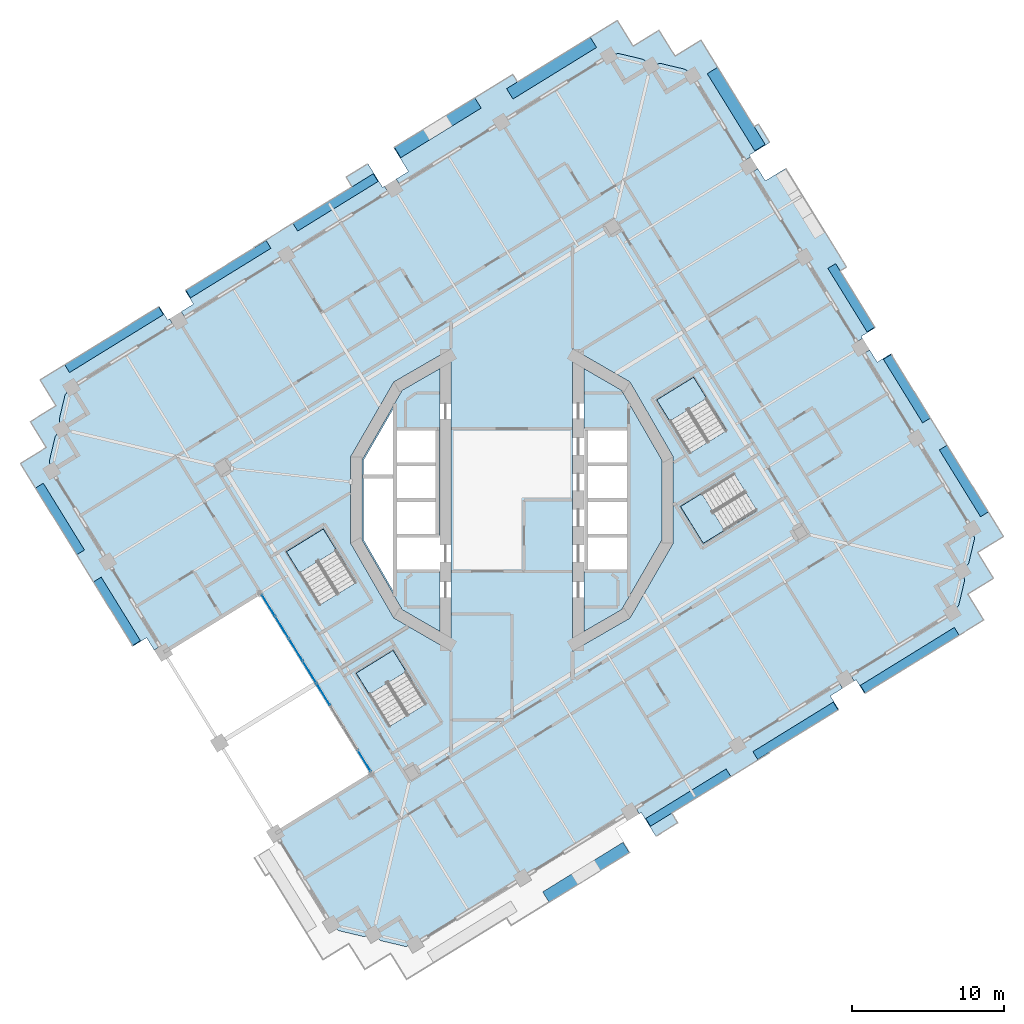
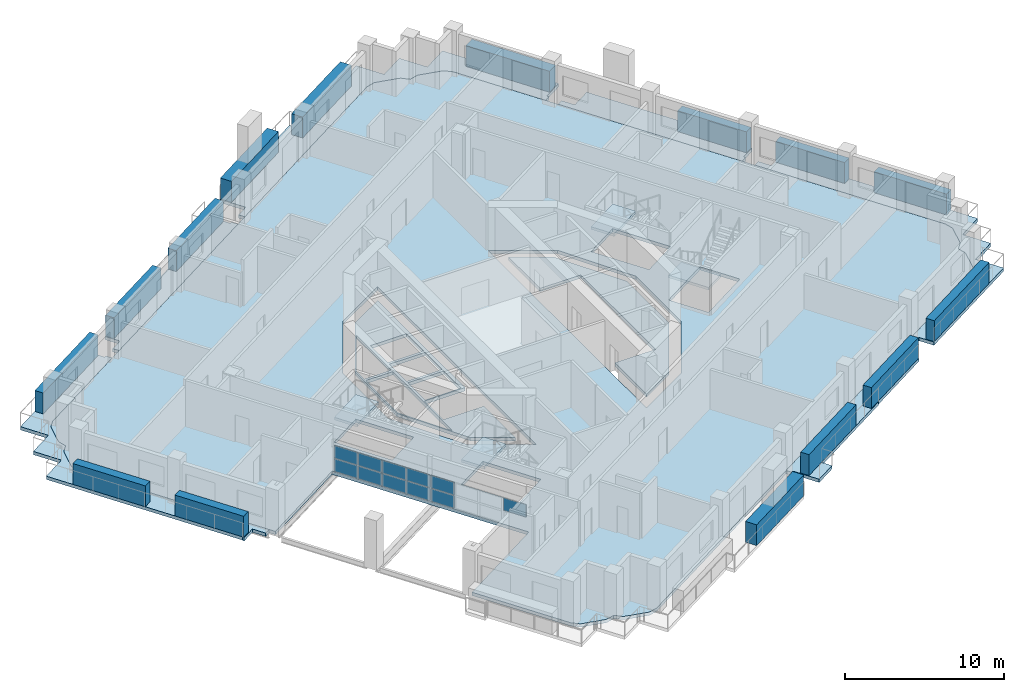
# One storey, part 6 of 22: 26 plates, 13 slabs, 5 elements without a shape of their own.
"""IFC4 building model written with IfcOpenShell, lengths in metres."""

from ifc_helpers import new_model, si_unit, direction, frame, origin, origin_2d, place, context, subcontext, project, spatial, polyline, rectangle, outline, extrude, material, layer, layer_set, type_object, element, aggregate, save


model = new_model("IFC4")

# Units and contexts
model_context = context("Model", 3, precision=1e-05, world=origin(), true_north=direction((0.0, 1.0)))
body_context = subcontext(model_context, "Body", "Model", "MODEL_VIEW")
ifc_project = project(units=[si_unit("LENGTHUNIT", "METRE"), si_unit("AREAUNIT", "SQUARE_METRE"), si_unit("VOLUMEUNIT", "CUBIC_METRE"), si_unit("PLANEANGLEUNIT", "RADIAN"), si_unit("MASSUNIT", "GRAM", prefix="KILO")], contexts=[model_context])

# Site, building, storey
site_placement = place(None, origin())
site = spatial("IfcSite", under=ifc_project, at=site_placement, CompositionType="ELEMENT")
building_placement = place(site_placement, origin())
building = spatial("IfcBuilding", under=site, at=building_placement, Name="Cantera Rosa Tower", CompositionType="ELEMENT")
storey_placement = place(building_placement, frame((0.0, 0.0, 162.800048828125)))
storey = spatial("IfcBuildingStorey", under=building, at=storey_placement, Name="L35", CompositionType="ELEMENT", Elevation=162.800048828125)

# Slabs
ifc_material_1 = material(Name="Concrete C35/45", Category="concrete")
ifc_layer_1 = layer(ifc_material_1, 0.25)
ifc_layer_set_1 = layer_set([ifc_layer_1], Name="COMPOSITE FLOOR SLAB 250 C35/45")
slab_type_1 = type_object("IfcSlabType", Name="COMPOSITE FLOOR SLAB 250 C35/45", PredefinedType="FLOOR", material=ifc_layer_set_1)
slab_1_placement = place(storey_placement, frame((0.0, 0.0, -0.25)))
element("IfcSlab", 1, at=slab_1_placement, inside=storey, type_object=slab_type_1, Name="SLAB L35 floor 1", PredefinedType="FLOOR", context=body_context, shape_type="SweptSolid", body=[
    extrude(outline(polyline([(-7.22900390625, 7.22900390625), (-4.75, 8.660400390625), (-4.75, -2.35009765625), (-7.699951171875, -2.35009765625), (-7.699951171875, -4.699951171875), (-4.75, -4.699951171875), (-4.75, -8.660400390625), (-7.22900390625, -7.22900390625), (-9.875244140625, -2.64599609375), (-9.875244140625, 2.64599609375), (-7.22900390625, 7.22900390625)]), holes=[polyline([(-7.800048828125, 1.439208984375), (-9.775146484375, 1.439208984375), (-9.775146484375, -2.619384765625), (-7.800048828125, -6.040283203125), (-7.800048828125, 1.439208984375)]), polyline([(-7.60009765625, -0.10009765625), (-7.60009765625, -2.25), (-5.0, -2.25), (-5.0, -0.10009765625), (-7.60009765625, -0.10009765625)]), polyline([(-7.60009765625, 2.25), (-7.60009765625, 0.10009765625), (-5.0, 0.10009765625), (-5.0, 2.25), (-7.60009765625, 2.25)]), polyline([(-7.60009765625, 4.60009765625), (-7.60009765625, 2.449951171875), (-5.0, 2.449951171875), (-5.0, 4.60009765625), (-7.60009765625, 4.60009765625)]), polyline([(-7.800048828125, 6.040283203125), (-9.775146484375, 2.619384765625), (-9.775146484375, 1.639404296875), (-7.800048828125, 1.639404296875), (-7.800048828125, 6.040283203125)])]), origin(), (0.0, 0.0, 1.0), 0.25),
])
slab_2_placement = place(storey_placement, frame((0.0, 0.0, -0.25)))
element("IfcSlab", 2, at=slab_2_placement, inside=storey, type_object=slab_type_1, Name="SLAB L35 floor 2", PredefinedType="FLOOR", context=body_context, shape_type="SweptSolid", body=[
    extrude(outline(polyline([(-8.647705078125, -29.0283203125), (-8.673828125, -29.014892578125), (-8.698486328125, -28.998779296875), (-8.721435546875, -28.98046875), (-9.14208984375, -28.60888671875), (-9.684814453125, -28.752197265625), (-9.713623046875, -28.75830078125), (-9.742919921875, -28.761474609375), (-9.772216796875, -28.76171875), (-9.801513671875, -28.75927734375), (-9.83056640625, -28.75390625), (-11.34423828125, -28.395263671875), (-11.37255859375, -28.386962890625), (-11.39990234375, -28.376220703125), (-11.426025390625, -28.362548828125), (-11.45068359375, -28.346435546875), (-11.4736328125, -28.328125), (-11.894287109375, -27.95654296875), (-12.408935546875, -27.122314453125), (-15.57958984375, -21.981689453125), (-9.1962890625, -18.04443359375), (-16.56689453125, -6.0947265625), (-22.950439453125, -10.031982421875), (-30.321044921875, 1.917724609375), (-30.46435546875, 2.460205078125), (-30.470458984375, 2.489013671875), (-30.4736328125, 2.518310546875), (-30.47412109375, 2.5478515625), (-30.4716796875, 2.5771484375), (-30.46630859375, 2.606201171875), (-30.107421875, 4.119873046875), (-30.09912109375, 4.148193359375), (-30.08837890625, 4.17529296875), (-30.07470703125, 4.20166015625), (-30.05859375, 4.226318359375), (-30.040283203125, 4.249267578125), (-29.668701171875, 4.669921875), (-29.81201171875, 5.21240234375), (-29.818115234375, 5.2412109375), (-29.8212890625, 5.2705078125), (-29.82177734375, 5.300048828125), (-29.8193359375, 5.329345703125), (-29.81396484375, 5.3583984375), (-29.455078125, 6.8720703125), (-29.447021484375, 6.900390625), (-29.43603515625, 6.927490234375), (-29.422607421875, 6.953857421875), (-29.406494140625, 6.978515625), (-29.38818359375, 7.00146484375), (-29.0166015625, 7.422119140625), (6.389892578125, 29.260986328125), (6.9326171875, 29.404296875), (6.96142578125, 29.410400390625), (6.99072265625, 29.413818359375), (7.02001953125, 29.4140625), (7.049560546875, 29.41162109375), (7.078369140625, 29.40625), (8.592041015625, 29.047607421875), (8.620361328125, 29.039306640625), (8.647705078125, 29.0283203125), (8.673828125, 29.014892578125), (8.698486328125, 28.998779296875), (8.721435546875, 28.98046875), (9.14208984375, 28.60888671875), (9.684814453125, 28.752197265625), (9.713623046875, 28.75830078125), (9.742919921875, 28.761474609375), (9.772216796875, 28.76171875), (9.801513671875, 28.75927734375), (9.83056640625, 28.75390625), (11.34423828125, 28.395263671875), (11.37255859375, 28.386962890625), (11.39990234375, 28.376220703125), (11.426025390625, 28.362548828125), (11.45068359375, 28.346435546875), (11.4736328125, 28.328125), (11.894287109375, 27.95654296875), (30.321044921875, -1.917724609375), (30.46435546875, -2.460205078125), (30.470458984375, -2.489013671875), (30.4736328125, -2.518310546875), (30.47412109375, -2.5478515625), (30.4716796875, -2.5771484375), (30.46630859375, -2.606201171875), (30.107421875, -4.119873046875), (30.09912109375, -4.148193359375), (30.08837890625, -4.17529296875), (30.07470703125, -4.20166015625), (30.05859375, -4.226318359375), (30.040283203125, -4.249267578125), (29.668701171875, -4.669921875), (29.81201171875, -5.21240234375), (29.818115234375, -5.2412109375), (29.8212890625, -5.2705078125), (29.82177734375, -5.300048828125), (29.8193359375, -5.329345703125), (29.81396484375, -5.3583984375), (29.455078125, -6.8720703125), (29.447021484375, -6.900390625), (29.43603515625, -6.927490234375), (29.422607421875, -6.953857421875), (29.406494140625, -6.978515625), (29.38818359375, -7.00146484375), (29.0166015625, -7.422119140625), (28.18212890625, -7.9365234375), (-6.389892578125, -29.260986328125), (-6.9326171875, -29.404296875), (-6.96142578125, -29.410400390625), (-6.99072265625, -29.413818359375), (-7.02001953125, -29.4140625), (-7.049560546875, -29.41162109375), (-7.078369140625, -29.40625), (-8.592041015625, -29.047607421875), (-8.620361328125, -29.039306640625), (-8.647705078125, -29.0283203125)]), holes=[polyline([(-5.658447265625, -13.433349609375), (-7.830810546875, -9.911376953125), (-10.256591796875, -11.407470703125), (-8.084228515625, -14.929443359375), (-5.658447265625, -13.433349609375)]), polyline([(-10.258544921875, -5.433349609375), (-12.430908203125, -1.911376953125), (-14.8564453125, -3.407470703125), (-12.68408203125, -6.929443359375), (-10.258544921875, -5.433349609375)]), polyline([(-7.7783203125, 7.7783203125), (-10.625244140625, 2.846923828125), (-10.625244140625, -2.846923828125), (-7.7783203125, -7.7783203125), (-4.0, -9.95947265625), (-4.0, 9.95947265625), (-7.7783203125, 7.7783203125)]), polyline([(14.63330078125, 1.741455078125), (11.111328125, -0.430908203125), (12.607421875, -2.8564453125), (16.12939453125, -0.68408203125), (14.63330078125, 1.741455078125)]), polyline([(7.7783203125, -7.7783203125), (10.625244140625, -2.846923828125), (10.625244140625, 2.846923828125), (7.7783203125, 7.7783203125), (4.0, 9.95947265625), (4.0, -9.95947265625), (7.7783203125, -7.7783203125)]), polyline([(11.7158203125, 3.070556640625), (14.1416015625, 4.566650390625), (11.96923828125, 8.088623046875), (9.54345703125, 6.592529296875), (11.7158203125, 3.070556640625)])]), origin(), (0.0, 0.0, 1.0), 0.25),
])
slab_3_placement = place(storey_placement, frame((0.0, 0.0, -0.25)))
element("IfcSlab", 3, at=slab_3_placement, inside=storey, type_object=slab_type_1, Name="SLAB L35 floor 3", PredefinedType="FLOOR", context=body_context, shape_type="SweptSolid", body=[
    extrude(outline(polyline([(7.699951171875, 0.0), (7.699951171875, 2.35009765625), (7.699951171875, 4.699951171875), (4.75, 4.699951171875), (4.75, 8.660400390625), (7.22900390625, 7.22900390625), (9.875244140625, 2.64599609375), (9.875244140625, -2.64599609375), (7.22900390625, -7.22900390625), (4.75, -8.660400390625), (4.75, -4.699951171875), (7.699951171875, -4.699951171875), (7.699951171875, -2.35009765625), (7.699951171875, 0.0)])), origin(), (0.0, 0.0, 1.0), 0.25),
])

# Curtain wall, plates
ifc_material_2 = material(Name="Aluminium frame with clear glass", Category="aluminium")
curtain_wall_type = type_object("IfcCurtainWallType", Name="CW1 TERRACE POCKET GLAZING", PredefinedType="NOTDEFINED", material=ifc_material_2)
curtain_wall_placement = place(storey_placement, origin())
curtain_wall = element("IfcCurtainWall", 4, at=curtain_wall_placement, inside=storey, type_object=curtain_wall_type, Name="CW1 CW1", PredefinedType="NOTDEFINED")
ifc_material_3 = material(Name="Aluminium frame with clear glass", Category="aluminium")
ifc_layer_2 = layer(ifc_material_3, 0.028076171875)
ifc_layer_set_2 = layer_set([ifc_layer_2], Name="CW-PANEL POCKET")
plate_type_1 = type_object("IfcPlateType", Name="CW-PANEL POCKET", PredefinedType="CURTAIN_PANEL", material=ifc_layer_set_2)
plate_1_placement = place(storey_placement, frame((-16.041015625, -6.947509765625, 0.06005859375), z_axis=(0.0, 0.0, 1.0), x_axis=(0.524976580369, -0.851116672416, 0.0)))
plate_1 = element("IfcPlate", 5, at=plate_1_placement, type_object=plate_type_1, Name="CW1 panel 1.1", PredefinedType="CURTAIN_PANEL", context=body_context, shape_type="SweptSolid", body=[
    extrude(rectangle(XDim=1.6337890625, YDim=0.028076171875, at=origin_2d()), origin(), (0.0, 0.0, 1.0), 0.9619140625),
])
plate_2_placement = place(storey_placement, frame((-16.041015625, -6.947509765625, 1.08203125), z_axis=(0.0, 0.0, 1.0), x_axis=(0.524976580369, -0.851116672416, 0.0)))
plate_2 = element("IfcPlate", 6, at=plate_2_placement, type_object=plate_type_1, Name="CW1 panel 1.2", PredefinedType="CURTAIN_PANEL", context=body_context, shape_type="SweptSolid", body=[
    extrude(rectangle(XDim=1.6337890625, YDim=0.028076171875, at=origin_2d()), origin(), (0.0, 0.0, 1.0), 0.9619140625),
])
plate_3_placement = place(storey_placement, frame((-15.14404296875, -8.40185546875, 0.06005859375), z_axis=(0.0, 0.0, 1.0), x_axis=(0.524976580369, -0.851116672416, 0.0)))
plate_3 = element("IfcPlate", 7, at=plate_3_placement, type_object=plate_type_1, Name="CW1 panel 2.1", PredefinedType="CURTAIN_PANEL", context=body_context, shape_type="SweptSolid", body=[
    extrude(rectangle(XDim=1.663818359375, YDim=0.028076171875, at=origin_2d()), origin(), (0.0, 0.0, 1.0), 0.9619140625),
])
plate_4_placement = place(storey_placement, frame((-15.14404296875, -8.40185546875, 1.08203125), z_axis=(0.0, 0.0, 1.0), x_axis=(0.524976580369, -0.851116672416, 0.0)))
plate_4 = element("IfcPlate", 8, at=plate_4_placement, type_object=plate_type_1, Name="CW1 panel 2.2", PredefinedType="CURTAIN_PANEL", context=body_context, shape_type="SweptSolid", body=[
    extrude(rectangle(XDim=1.663818359375, YDim=0.028076171875, at=origin_2d()), origin(), (0.0, 0.0, 1.0), 0.9619140625),
])
plate_5_placement = place(storey_placement, frame((-14.239013671875, -9.868896484375, 0.06005859375), z_axis=(0.0, 0.0, 1.0), x_axis=(0.524976580369, -0.851116672416, 0.0)))
plate_5 = element("IfcPlate", 9, at=plate_5_placement, type_object=plate_type_1, Name="CW1 panel 3.1", PredefinedType="CURTAIN_PANEL", context=body_context, shape_type="SweptSolid", body=[
    extrude(rectangle(XDim=1.663818359375, YDim=0.028076171875, at=origin_2d()), origin(), (0.0, 0.0, 1.0), 0.9619140625),
])
plate_6_placement = place(storey_placement, frame((-14.239013671875, -9.868896484375, 1.08203125), z_axis=(0.0, 0.0, 1.0), x_axis=(0.524976580369, -0.851116672416, 0.0)))
plate_6 = element("IfcPlate", 10, at=plate_6_placement, type_object=plate_type_1, Name="CW1 panel 3.2", PredefinedType="CURTAIN_PANEL", context=body_context, shape_type="SweptSolid", body=[
    extrude(rectangle(XDim=1.663818359375, YDim=0.028076171875, at=origin_2d()), origin(), (0.0, 0.0, 1.0), 0.9619140625),
])
plate_7_placement = place(storey_placement, frame((-13.334228515625, -11.3359375, 0.06005859375), z_axis=(0.0, 0.0, 1.0), x_axis=(0.524976580369, -0.851116672416, 0.0)))
plate_7 = element("IfcPlate", 11, at=plate_7_placement, type_object=plate_type_1, Name="CW1 panel 4.1", PredefinedType="CURTAIN_PANEL", context=body_context, shape_type="SweptSolid", body=[
    extrude(rectangle(XDim=1.663818359375, YDim=0.028076171875, at=origin_2d()), origin(), (0.0, 0.0, 1.0), 0.9619140625),
])
plate_8_placement = place(storey_placement, frame((-13.334228515625, -11.3359375, 1.08203125), z_axis=(0.0, 0.0, 1.0), x_axis=(0.524976580369, -0.851116672416, 0.0)))
plate_8 = element("IfcPlate", 12, at=plate_8_placement, type_object=plate_type_1, Name="CW1 panel 4.2", PredefinedType="CURTAIN_PANEL", context=body_context, shape_type="SweptSolid", body=[
    extrude(rectangle(XDim=1.663818359375, YDim=0.028076171875, at=origin_2d()), origin(), (0.0, 0.0, 1.0), 0.9619140625),
])
plate_9_placement = place(storey_placement, frame((-12.42919921875, -12.802978515625, 0.06005859375), z_axis=(0.0, 0.0, 1.0), x_axis=(0.524976580369, -0.851116672416, 0.0)))
plate_9 = element("IfcPlate", 13, at=plate_9_placement, type_object=plate_type_1, Name="CW1 panel 5.1", PredefinedType="CURTAIN_PANEL", context=body_context, shape_type="SweptSolid", body=[
    extrude(rectangle(XDim=1.663818359375, YDim=0.028076171875, at=origin_2d()), origin(), (0.0, 0.0, 1.0), 0.9619140625),
])
plate_10_placement = place(storey_placement, frame((-12.42919921875, -12.802978515625, 1.08203125), z_axis=(0.0, 0.0, 1.0), x_axis=(0.524976580369, -0.851116672416, 0.0)))
plate_10 = element("IfcPlate", 14, at=plate_10_placement, type_object=plate_type_1, Name="CW1 panel 5.2", PredefinedType="CURTAIN_PANEL", context=body_context, shape_type="SweptSolid", body=[
    extrude(rectangle(XDim=1.663818359375, YDim=0.028076171875, at=origin_2d()), origin(), (0.0, 0.0, 1.0), 0.9619140625),
])
plate_11_placement = place(storey_placement, frame((-9.72216796875, -17.191650390625, 1.08203125), z_axis=(0.0, 0.0, 1.0), x_axis=(0.524976580369, -0.851116672416, 0.0)))
plate_11 = element("IfcPlate", 15, at=plate_11_placement, type_object=plate_type_1, Name="CW1 panel 8.2", PredefinedType="CURTAIN_PANEL", context=body_context, shape_type="SweptSolid", body=[
    extrude(rectangle(XDim=1.6337890625, YDim=0.028076171875, at=origin_2d()), origin(), (0.0, 0.0, 1.0), 0.9619140625),
])
aggregate(curtain_wall, [plate_1, plate_2, plate_3, plate_4, plate_5, plate_6, plate_7, plate_8, plate_9, plate_10, plate_11])

# Slabs
ifc_material_4 = material(Name="Concrete C35/45", Category="concrete")
ifc_layer_3 = layer(ifc_material_4, 0.25)
ifc_layer_set_3 = layer_set([ifc_layer_3], Name="LOGGIA SLAB 250 C35/45")
slab_type_2 = type_object("IfcSlabType", Name="LOGGIA SLAB 250 C35/45", PredefinedType="FLOOR", material=ifc_layer_set_3)
slab_4_placement = place(storey_placement, frame((0.0, 0.0, -0.25)))
element("IfcSlab", 16, at=slab_4_placement, inside=storey, type_object=slab_type_2, Name="LOGGIA SLAB L35 1", PredefinedType="FLOOR", context=body_context, shape_type="SweptSolid", body=[
    extrude(outline(polyline([(-27.125, -6.121337890625), (-28.69970703125, -3.568115234375), (-31.59765625, 1.130126953125), (-32.38525390625, 2.406982421875), (-31.1083984375, 3.1943359375), (-30.682861328125, 3.456787109375), (-30.9453125, 3.88232421875), (-31.73291015625, 5.1591796875), (-30.456298828125, 5.946533203125), (-30.03076171875, 6.208984375), (-30.293212890625, 6.634521484375), (-31.08056640625, 7.911376953125), (-29.803955078125, 8.69873046875), (-23.999267578125, 12.279052734375), (-23.2333984375, 12.75146484375), (-22.68212890625, 11.85791015625), (-22.554443359375, 11.9365234375), (-22.318115234375, 11.5537109375), (-29.0166015625, 7.422119140625), (-29.38818359375, 7.00146484375), (-29.406494140625, 6.978515625), (-29.422607421875, 6.953857421875), (-29.43603515625, 6.927490234375), (-29.447021484375, 6.900390625), (-29.455078125, 6.8720703125), (-29.81396484375, 5.3583984375), (-29.8193359375, 5.329345703125), (-29.82177734375, 5.300048828125), (-29.8212890625, 5.2705078125), (-29.818115234375, 5.2412109375), (-29.81201171875, 5.21240234375), (-29.668701171875, 4.669921875), (-30.040283203125, 4.249267578125), (-30.05859375, 4.226318359375), (-30.07470703125, 4.20166015625), (-30.08837890625, 4.17529296875), (-30.09912109375, 4.148193359375), (-30.107421875, 4.119873046875), (-30.46630859375, 2.606201171875), (-30.4716796875, 2.5771484375), (-30.47412109375, 2.5478515625), (-30.4736328125, 2.518310546875), (-30.470458984375, 2.489013671875), (-30.46435546875, 2.460205078125), (-30.321044921875, 1.917724609375), (-23.1865234375, -9.64892578125), (-23.569580078125, -9.88525390625), (-24.068359375, -9.07666015625), (-24.98828125, -9.64404296875), (-25.05712890625, -9.53271484375), (-25.03076171875, -9.5166015625), (-27.125, -6.121337890625)])), origin(), (0.0, 0.0, 1.0), 0.25),
])
slab_5_placement = place(storey_placement, frame((0.0, 0.0, -0.25)))
element("IfcSlab", 17, at=slab_5_placement, inside=storey, type_object=slab_type_2, Name="LOGGIA SLAB L35 2", PredefinedType="FLOOR", context=body_context, shape_type="SweptSolid", body=[
    extrude(outline(polyline([(-16.973388671875, 16.659912109375), (-10.531005859375, 20.6337890625), (-10.9248046875, 21.272705078125), (-9.48583984375, 22.16015625), (-8.51953125, 20.593505859375), (-8.391845703125, 20.672119140625), (-8.155517578125, 20.289306640625), (-21.55224609375, 12.026123046875), (-21.788330078125, 12.4091796875), (-20.97998046875, 12.90771484375), (-21.531005859375, 13.801513671875), (-21.446044921875, 13.85400390625), (-16.952392578125, 16.625732421875), (-16.973388671875, 16.659912109375)])), origin(), (0.0, 0.0, 1.0), 0.25),
])
slab_6_placement = place(storey_placement, frame((0.0, 0.0, -0.25)))
element("IfcSlab", 18, at=slab_6_placement, inside=storey, type_object=slab_type_2, Name="LOGGIA SLAB L35 4", PredefinedType="FLOOR", context=body_context, shape_type="SweptSolid", body=[
    extrude(outline(polyline([(5.49755859375, 30.7080078125), (6.9443359375, 31.600341796875), (7.8369140625, 30.153564453125), (7.994384765625, 29.898193359375), (8.249755859375, 30.0556640625), (9.696533203125, 30.9482421875), (10.589111328125, 29.501220703125), (10.74658203125, 29.245849609375), (11.001953125, 29.4033203125), (12.44873046875, 30.2958984375), (13.34130859375, 28.84912109375), (15.96533203125, 24.5947265625), (16.239013671875, 24.763427734375), (16.985107421875, 23.5537109375), (15.647705078125, 22.728515625), (15.7265625, 22.600830078125), (15.343505859375, 22.36474609375), (11.894287109375, 27.95654296875), (11.4736328125, 28.328125), (11.45068359375, 28.346435546875), (11.426025390625, 28.362548828125), (11.39990234375, 28.376220703125), (11.37255859375, 28.386962890625), (11.34423828125, 28.395263671875), (9.83056640625, 28.75390625), (9.801513671875, 28.75927734375), (9.772216796875, 28.76171875), (9.742919921875, 28.761474609375), (9.713623046875, 28.75830078125), (9.684814453125, 28.752197265625), (9.14208984375, 28.60888671875), (8.721435546875, 28.98046875), (8.698486328125, 28.998779296875), (8.673828125, 29.014892578125), (8.647705078125, 29.0283203125), (8.620361328125, 29.039306640625), (8.592041015625, 29.047607421875), (7.078369140625, 29.40625), (7.049560546875, 29.41162109375), (7.02001953125, 29.4140625), (6.99072265625, 29.413818359375), (6.96142578125, 29.410400390625), (6.9326171875, 29.404296875), (6.389892578125, 29.260986328125), (-7.3896484375, 20.76171875), (-7.625732421875, 21.144775390625), (-6.8173828125, 21.643310546875), (-7.78369140625, 23.210205078125), (0.055908203125, 28.04541015625), (0.365966796875, 27.542724609375), (5.49755859375, 30.7080078125)])), origin(), (0.0, 0.0, 1.0), 0.25),
])
slab_7_placement = place(storey_placement, frame((0.0, 0.0, -0.25)))
element("IfcSlab", 19, at=slab_7_placement, inside=storey, type_object=slab_type_2, Name="LOGGIA SLAB L35 5", PredefinedType="FLOOR", context=body_context, shape_type="SweptSolid", body=[
    extrude(outline(polyline([(8.51953125, -20.593505859375), (8.391845703125, -20.672119140625), (8.155517578125, -20.289306640625), (21.55224609375, -12.026123046875), (21.788330078125, -12.4091796875), (20.97998046875, -12.90771484375), (21.531005859375, -13.801513671875), (21.446044921875, -13.85400390625), (16.952392578125, -16.625732421875), (16.973388671875, -16.659912109375), (10.531005859375, -20.6337890625), (10.9248046875, -21.272705078125), (9.48583984375, -22.16015625), (8.51953125, -20.593505859375)])), origin(), (0.0, 0.0, 1.0), 0.25),
])
slab_8_placement = place(storey_placement, frame((0.0, 0.0, -0.25)))
element("IfcSlab", 20, at=slab_8_placement, inside=storey, type_object=slab_type_2, Name="LOGGIA SLAB L35 6", PredefinedType="FLOOR", context=body_context, shape_type="SweptSolid", body=[
    extrude(outline(polyline([(23.9384765625, 11.346435546875), (23.018310546875, 10.77880859375), (23.09716796875, 10.651123046875), (22.714111328125, 10.4150390625), (15.81591796875, 21.5986328125), (16.198974609375, 21.8349609375), (16.69775390625, 21.0263671875), (18.03515625, 21.851318359375), (22.046875, 15.347412109375), (21.62939453125, 15.090087890625), (23.9384765625, 11.346435546875)])), origin(), (0.0, 0.0, 1.0), 0.25),
])
slab_9_placement = place(storey_placement, frame((0.0, 0.0, -0.25)))
element("IfcSlab", 21, at=slab_9_placement, inside=storey, type_object=slab_type_2, Name="LOGGIA SLAB L35 7", PredefinedType="FLOOR", context=body_context, shape_type="SweptSolid", body=[
    extrude(outline(polyline([(27.125, 6.121337890625), (28.69970703125, 3.568115234375), (31.59765625, -1.130126953125), (32.38525390625, -2.406982421875), (31.1083984375, -3.1943359375), (30.682861328125, -3.456787109375), (30.9453125, -3.88232421875), (31.73291015625, -5.1591796875), (30.456298828125, -5.946533203125), (30.03076171875, -6.208984375), (30.293212890625, -6.634521484375), (31.08056640625, -7.911376953125), (29.803955078125, -8.69873046875), (23.999267578125, -12.279052734375), (23.2333984375, -12.75146484375), (22.68212890625, -11.85791015625), (22.554443359375, -11.9365234375), (22.318115234375, -11.5537109375), (28.18212890625, -7.9365234375), (29.0166015625, -7.422119140625), (29.38818359375, -7.00146484375), (29.406494140625, -6.978515625), (29.422607421875, -6.953857421875), (29.43603515625, -6.927490234375), (29.447021484375, -6.900390625), (29.455078125, -6.8720703125), (29.81396484375, -5.3583984375), (29.8193359375, -5.329345703125), (29.82177734375, -5.300048828125), (29.8212890625, -5.2705078125), (29.818115234375, -5.2412109375), (29.81201171875, -5.21240234375), (29.668701171875, -4.669921875), (30.040283203125, -4.249267578125), (30.05859375, -4.226318359375), (30.07470703125, -4.20166015625), (30.08837890625, -4.17529296875), (30.09912109375, -4.148193359375), (30.107421875, -4.119873046875), (30.46630859375, -2.606201171875), (30.4716796875, -2.5771484375), (30.47412109375, -2.5478515625), (30.4736328125, -2.518310546875), (30.470458984375, -2.489013671875), (30.46435546875, -2.460205078125), (30.321044921875, -1.917724609375), (23.1865234375, 9.64892578125), (23.569580078125, 9.88525390625), (24.068359375, 9.07666015625), (24.98828125, 9.64404296875), (25.05712890625, 9.53271484375), (25.03076171875, 9.5166015625), (27.125, 6.121337890625)])), origin(), (0.0, 0.0, 1.0), 0.25),
])

# Plates
ifc_material_5 = material(Name="Cantera stone planter with soil", Category="masonry")
plate_type_2 = type_object("IfcPlateType", Name="PLANTER 600", PredefinedType="USERDEFINED", material=ifc_material_5)
plate_12_placement = place(storey_placement, frame((29.775390625, 1.2529296875, 0.0), z_axis=(0.0, 0.0, 1.0), x_axis=(-0.52497658034, 0.851116672434, 0.0)))
element("IfcPlate", 22, at=plate_12_placement, inside=storey, type_object=plate_type_2, Name="PLANTER L35-01", ObjectType="PLANTER", PredefinedType="USERDEFINED", context=body_context, shape_type="SweptSolid", body=[
    extrude(rectangle(XDim=5.169921875, YDim=0.60009765625, at=origin_2d()), origin(), (0.0, 0.0, 1.0), 1.60009765625),
])
for number, where, z_axis, x_axis, name in (
    (23, (26.0244140625, 7.333984375, 0.0), (0.0, 0.0, 1.0), (-0.52497658034, 0.851116672434, 0.0), "PLANTER L35-02"),
    (24, (22.365478515625, 13.3251953125, 0.0), (0.0, 0.0, 1.0), (-0.52497658034, 0.851116672434, 0.0), "PLANTER L35-03"),
):
    element("IfcPlate", number, at=place(storey_placement, frame(where, z_axis=z_axis, x_axis=x_axis)), inside=storey, type_object=plate_type_2, Name=name, ObjectType="PLANTER", PredefinedType="USERDEFINED", context=body_context, shape_type="SweptSolid", body=[
        extrude(rectangle(XDim=4.919921875, YDim=0.60009765625, at=origin_2d()), origin(), (0.0, 0.0, 1.0), 1.60009765625),
    ])
for number, where, z_axis, x_axis, name in (
    (25, (-11.6240234375, 19.607177734375, 0.0), (0.0, 0.0, 1.0), (-0.851116672434, -0.52497658034, 0.0), "PLANTER L35-08"),
    (26, (-18.68408203125, 15.205078125, 0.0), (0.0, 0.0, 1.0), (-0.851116672434, -0.52497658034, 0.0), "PLANTER L35-09"),
):
    element("IfcPlate", number, at=place(storey_placement, frame(where, z_axis=z_axis, x_axis=x_axis)), inside=storey, type_object=plate_type_2, Name=name, ObjectType="PLANTER", PredefinedType="USERDEFINED", context=body_context, shape_type="SweptSolid", body=[
        extrude(rectangle(XDim=6.219970703125, YDim=0.60009765625, at=origin_2d()), origin(), (0.0, 0.0, 1.0), 1.60009765625),
    ])
plate_13_placement = place(storey_placement, frame((-26.212158203125, 10.561767578125, 0.0), z_axis=(0.0, 0.0, 1.0), x_axis=(-0.851116672434, -0.52497658034, 0.0)))
element("IfcPlate", 27, at=plate_13_placement, inside=storey, type_object=plate_type_2, Name="PLANTER L35-10", ObjectType="PLANTER", PredefinedType="USERDEFINED", context=body_context, shape_type="SweptSolid", body=[
    extrude(rectangle(XDim=7.27001953125, YDim=0.60009765625, at=origin_2d()), origin(), (0.0, 0.0, 1.0), 1.60009765625),
])
plate_14_placement = place(storey_placement, frame((-29.775390625, -1.2529296875, 0.0), z_axis=(0.0, 0.0, 1.0), x_axis=(0.52497658034, -0.851116672434, 0.0)))
element("IfcPlate", 28, at=plate_14_placement, inside=storey, type_object=plate_type_2, Name="PLANTER L35-11", ObjectType="PLANTER", PredefinedType="USERDEFINED", context=body_context, shape_type="SweptSolid", body=[
    extrude(rectangle(XDim=5.169921875, YDim=0.60009765625, at=origin_2d()), origin(), (0.0, 0.0, 1.0), 1.60009765625),
])
plate_15_placement = place(storey_placement, frame((-26.0244140625, -7.333984375, 0.0), z_axis=(0.0, 0.0, 1.0), x_axis=(0.52497658034, -0.851116672434, 0.0)))
element("IfcPlate", 29, at=plate_15_placement, inside=storey, type_object=plate_type_2, Name="PLANTER L35-12", ObjectType="PLANTER", PredefinedType="USERDEFINED", context=body_context, shape_type="SweptSolid", body=[
    extrude(rectangle(XDim=4.919921875, YDim=0.60009765625, at=origin_2d()), origin(), (0.0, 0.0, 1.0), 1.60009765625),
])
for number, where, z_axis, x_axis, name in (
    (30, (11.6240234375, -19.607177734375, 0.0), (0.0, 0.0, 1.0), (0.851116672434, 0.52497658034, 0.0), "PLANTER L35-18"),
    (31, (18.68408203125, -15.205078125, 0.0), (0.0, 0.0, 1.0), (0.851116672434, 0.52497658034, 0.0), "PLANTER L35-19"),
):
    element("IfcPlate", number, at=place(storey_placement, frame(where, z_axis=z_axis, x_axis=x_axis)), inside=storey, type_object=plate_type_2, Name=name, ObjectType="PLANTER", PredefinedType="USERDEFINED", context=body_context, shape_type="SweptSolid", body=[
        extrude(rectangle(XDim=6.219970703125, YDim=0.60009765625, at=origin_2d()), origin(), (0.0, 0.0, 1.0), 1.60009765625),
    ])
plate_16_placement = place(storey_placement, frame((26.212158203125, -10.561767578125, 0.0), z_axis=(0.0, 0.0, 1.0), x_axis=(0.851116672434, 0.52497658034, 0.0)))
element("IfcPlate", 32, at=plate_16_placement, inside=storey, type_object=plate_type_2, Name="PLANTER L35-20", ObjectType="PLANTER", PredefinedType="USERDEFINED", context=body_context, shape_type="SweptSolid", body=[
    extrude(rectangle(XDim=7.27001953125, YDim=0.60009765625, at=origin_2d()), origin(), (0.0, 0.0, 1.0), 1.60009765625),
])
ifc_material_6 = material(Name="Cantera stone planter with soil", Category="masonry")
plate_type_3 = type_object("IfcPlateType", Name="PLANTER 800", PredefinedType="USERDEFINED", material=ifc_material_6)
plate_17_placement = place(storey_placement, frame((14.77783203125, 25.758056640625, 0.0), z_axis=(0.0, 0.0, 1.0), x_axis=(-0.52497658034, 0.851116672434, 0.0)))
element("IfcPlate", 33, at=plate_17_placement, inside=storey, type_object=plate_type_3, Name="PLANTER L35-05", ObjectType="PLANTER", PredefinedType="USERDEFINED", context=body_context, shape_type="SweptSolid", body=[
    extrude(rectangle(XDim=5.969970703125, YDim=0.800048828125, at=origin_2d()), origin(), (0.0, 0.0, 1.0), 1.60009765625),
])
plate_18_placement = place(storey_placement, frame((2.61376953125, 28.459228515625, 0.0), z_axis=(0.0, 0.0, 1.0), x_axis=(-0.851116672434, -0.52497658034, 0.0)))
element("IfcPlate", 34, at=plate_18_placement, inside=storey, type_object=plate_type_3, Name="PLANTER L35-06", ObjectType="PLANTER", PredefinedType="USERDEFINED", context=body_context, shape_type="SweptSolid", body=[
    extrude(rectangle(XDim=6.469970703125, YDim=0.800048828125, at=origin_2d()), origin(), (0.0, 0.0, 1.0), 1.60009765625),
])
for number, where, z_axis, x_axis, name in (
    (35, (-4.884033203125, 24.528564453125, 0.0), (0.0, 0.0, 1.0), (-0.851116672434, -0.52497658034, 0.0), "PLANTER L35-07"),
    (36, (4.884033203125, -24.528564453125, 0.0), (0.0, 0.0, 1.0), (0.851116672434, 0.52497658034, 0.0), "PLANTER L35-17"),
):
    element("IfcPlate", number, at=place(storey_placement, frame(where, z_axis=z_axis, x_axis=x_axis)), inside=storey, type_object=plate_type_3, Name=name, ObjectType="PLANTER", PredefinedType="USERDEFINED", context=body_context, shape_type="SweptSolid", body=[
        extrude(rectangle(XDim=6.219970703125, YDim=0.800048828125, at=origin_2d()), origin(), (0.0, 0.0, 1.0), 1.60009765625),
    ])

# Stair, slab
ifc_material_7 = material(Name="Concrete C35/45", Category="concrete")
stair_type = type_object("IfcStairType", Name="EXIT STAIR 1350 DOGLEG", PredefinedType="HALF_TURN_STAIR", material=ifc_material_7)
stair_1_placement = place(storey_placement, origin())
stair_1 = element("IfcStair", 37, at=stair_1_placement, inside=storey, type_object=stair_type, Name="L35 ST-31", PredefinedType="HALF_TURN_STAIR")
ifc_material_8 = material(Name="Concrete C35/45", Category="concrete")
ifc_layer_4 = layer(ifc_material_8, 0.199951171875)
ifc_layer_set_4 = layer_set([ifc_layer_4], Name="STAIR LANDING 200")
slab_type_3 = type_object("IfcSlabType", Name="STAIR LANDING 200", PredefinedType="LANDING", material=ifc_layer_set_4)
slab_10_placement = place(storey_placement, frame((0.0, 0.0, 1.699951171875)))
slab_10 = element("IfcSlab", 38, at=slab_10_placement, type_object=slab_type_3, Name="ST-31 landing 1", PredefinedType="LANDING", context=body_context, shape_type="SweptSolid", body=[
    extrude(outline(polyline([(12.8310546875, 6.691162109375), (11.96923828125, 8.088623046875), (9.54345703125, 6.592529296875), (10.405517578125, 5.19482421875), (12.8310546875, 6.691162109375)])), origin(), (0.0, 0.0, 1.0), 0.199951171875),
])
aggregate(stair_1, [slab_10])

stair_2_placement = place(storey_placement, origin())
stair_2 = element("IfcStair", 39, at=stair_2_placement, inside=storey, type_object=stair_type, Name="L35 ST-32", PredefinedType="HALF_TURN_STAIR")
slab_11_placement = place(storey_placement, frame((0.0, 0.0, 1.699951171875)))
slab_11 = element("IfcSlab", 40, at=slab_11_placement, type_object=slab_type_3, Name="ST-32 landing 1", PredefinedType="LANDING", context=body_context, shape_type="SweptSolid", body=[
    extrude(outline(polyline([(-11.56884765625, -3.308837890625), (-12.430908203125, -1.911376953125), (-14.8564453125, -3.407470703125), (-13.99462890625, -4.80517578125), (-11.56884765625, -3.308837890625)])), origin(), (0.0, 0.0, 1.0), 0.199951171875),
])
aggregate(stair_2, [slab_11])

stair_3_placement = place(storey_placement, origin())
stair_3 = element("IfcStair", 41, at=stair_3_placement, inside=storey, type_object=stair_type, Name="L35 ST-33", PredefinedType="HALF_TURN_STAIR")
slab_12_placement = place(storey_placement, frame((0.0, 0.0, 1.699951171875)))
slab_12 = element("IfcSlab", 42, at=slab_12_placement, type_object=slab_type_3, Name="ST-33 landing 1", PredefinedType="LANDING", context=body_context, shape_type="SweptSolid", body=[
    extrude(outline(polyline([(-6.96875, -11.308837890625), (-7.830810546875, -9.911376953125), (-10.256591796875, -11.407470703125), (-9.39453125, -12.80517578125), (-6.96875, -11.308837890625)])), origin(), (0.0, 0.0, 1.0), 0.199951171875),
])
aggregate(stair_3, [slab_12])

stair_4_placement = place(storey_placement, origin())
stair_4 = element("IfcStair", 43, at=stair_4_placement, inside=storey, type_object=stair_type, Name="L35 ST-34", PredefinedType="HALF_TURN_STAIR")
slab_13_placement = place(storey_placement, frame((0.0, 0.0, 1.699951171875)))
slab_13 = element("IfcSlab", 44, at=slab_13_placement, type_object=slab_type_3, Name="ST-34 landing 1", PredefinedType="LANDING", context=body_context, shape_type="SweptSolid", body=[
    extrude(outline(polyline([(12.5087890625, 0.43115234375), (11.111328125, -0.430908203125), (12.607421875, -2.8564453125), (14.005126953125, -1.99462890625), (12.5087890625, 0.43115234375)])), origin(), (0.0, 0.0, 1.0), 0.199951171875),
])
aggregate(stair_4, [slab_13])

save(model, "model.ifc")
